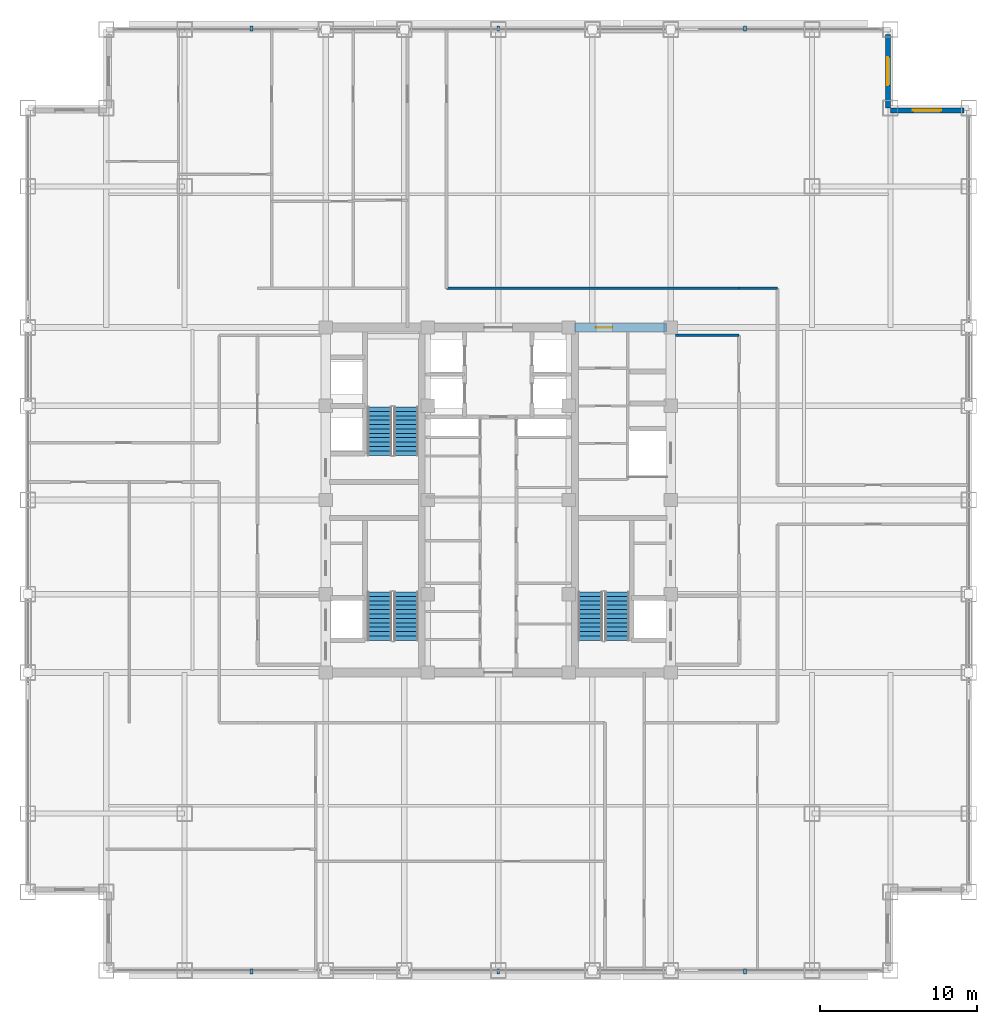
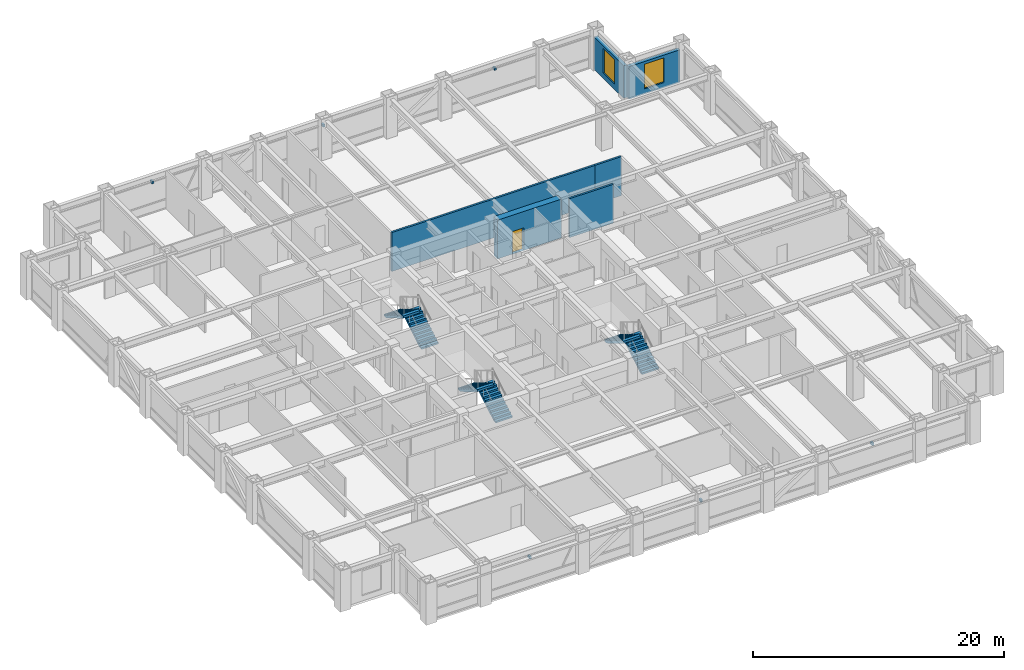
# One storey, part 24 of 29: 6 discrete accessories, 6 stair flights, 6 walls, 2 windows, 1 door, 3 openings, 3 elements without a shape of their own.
"""IFC4 building model written with IfcOpenShell, lengths in metres."""

from ifc_helpers import new_model, si_unit, direction, frame, frame_2d, origin, origin_2d, place, context, subcontext, project, spatial, polyline, rectangle, outline, extrude, source, transform, mapped, material, layer, layer_set, type_object, element, fill, aggregate, save


model = new_model("IFC4")

# Units and contexts
model_context = context("Model", 3, precision=1e-05, world=origin(), true_north=direction((0.0, 1.0)))
body_context = subcontext(model_context, "Body", "Model", "MODEL_VIEW")
ifc_project = project(units=[si_unit("LENGTHUNIT", "METRE"), si_unit("AREAUNIT", "SQUARE_METRE"), si_unit("VOLUMEUNIT", "CUBIC_METRE"), si_unit("PLANEANGLEUNIT", "RADIAN"), si_unit("MASSUNIT", "GRAM", prefix="KILO")], contexts=[model_context])

# Site, building, storey
site_placement = place(None, origin())
site = spatial("IfcSite", under=ifc_project, at=site_placement, CompositionType="ELEMENT")
building_placement = place(site_placement, origin())
building = spatial("IfcBuilding", under=site, at=building_placement, Name="Khorayat Bourse Tower", CompositionType="ELEMENT")
storey_placement = place(building_placement, frame((0.0, 0.0, 243.10009765625)))
storey = spatial("IfcBuildingStorey", under=building, at=storey_placement, Name="L57", CompositionType="ELEMENT", Elevation=243.10009765625)

# Wall, opening, door
ifc_material_1 = material(Name="Concrete C60/75", Category="concrete")
ifc_layer_1 = layer(ifc_material_1, 0.60009765625)
ifc_layer_set_1 = layer_set([ifc_layer_1], Name="Concrete C60/75")
wall_type_1 = type_object("IfcWallType", Name="WAL-CORE-600", PredefinedType="SHEAR", material=ifc_layer_set_1)
shared_shape_1 = source(origin(), body_context, "Body", "SweptSolid", [
    extrude(rectangle(XDim=5.89990234375, YDim=0.60009765625, at=frame_2d((2.949951171875, 0.0))), origin(), (0.0, 0.0, 1.0), 3.77978515625),
])
wall_1_placement = place(storey_placement, frame((4.85009765625, 11.0, 0.0), z_axis=(0.0, 0.0, 1.0), x_axis=(1.0, 0.0, 0.0)))
wall_1 = element("IfcWall", 1, at=wall_1_placement, inside=storey, type_object=wall_type_1, Name="L57 Core Shear Wall PIER-EN", PredefinedType="SHEAR", context=body_context, shape_type="MappedRepresentation", body=[
    mapped(shared_shape_1, transform((0.0, 0.0, 0.0), scale=1.0)),
])
shared_shape_2 = source(origin(), body_context, "Body", "SweptSolid", [
    extrude(rectangle(XDim=1.050048828125, YDim=2.199951171875, at=frame_2d((0.52490234375, 1.10009765625))), frame((0.0, 0.31005859375, 0.0), z_axis=(0.0, -1.0, 0.0), x_axis=(1.0, 0.0, 0.0)), (0.0, 0.0, 1.0), 0.6201171875),
])
opening_1_placement = place(wall_1_placement, frame((1.375, 0.0, 0.0)))
opening_1 = element("IfcOpeningElement", 2, at=opening_1_placement, cuts=wall_1, Name="Opening DI-04", PredefinedType="OPENING", context=body_context, shape_type="MappedRepresentation", body=[
    mapped(shared_shape_2, transform((0.0, 0.0, 0.0), scale=1.0)),
])
ifc_material_2 = material(Name="Fire-rated oak veneer suite entrance door")
door_type = type_object("IfcDoorType", Name="DR-INT-SUITE-1050", OperationType="NOTDEFINED", PredefinedType="DOOR", material=ifc_material_2)
shared_shape_3 = source(origin(), body_context, "Body", "SweptSolid", [
    extrude(rectangle(XDim=1.050048828125, YDim=2.199951171875, at=frame_2d((0.52490234375, 1.10009765625))), frame((0.0, 0.02490234375, 0.0), z_axis=(0.0, -1.0, 0.0), x_axis=(1.0, 0.0, 0.0)), (0.0, 0.0, 1.0), 0.050048828125),
])
door_placement = place(opening_1_placement, origin())
door = element("IfcDoor", 3, at=door_placement, inside=storey, type_object=door_type, Name="L57 Core Washroom Lobby Door", OperationType="SINGLE_SWING_LEFT", OverallHeight=2.199951171875, OverallWidth=1.050048828125, PredefinedType="DOOR", context=body_context, shape_type="MappedRepresentation", body=[
    mapped(shared_shape_3, transform((0.0, 0.0, 0.0), scale=1.0)),
])
fill(opening_1, door)

# Wall, opening, window
ifc_material_3 = material(Name="Precast concrete C45/55", Category="concrete")
ifc_layer_2 = layer(ifc_material_3, 0.320068359375)
ifc_layer_set_2 = layer_set([ifc_layer_2], Name="Precast concrete C45/55")
wall_type_2 = type_object("IfcWallType", Name="WAL-EXT-STONE-320", PredefinedType="STANDARD", material=ifc_layer_set_2)
shared_shape_4 = source(origin(), body_context, "Body", "SweptSolid", [
    extrude(rectangle(XDim=4.679931640625, YDim=0.320068359375, at=frame_2d((2.33984375, 0.0))), origin(), (0.0, 0.0, 1.0), 3.163818359375),
])
wall_2_placement = place(storey_placement, frame((25.0, 24.840087890625, 0.0), z_axis=(0.0, 0.0, 1.0), x_axis=(1.0, 0.0, 0.0)))
wall_2 = element("IfcWall", 4, at=wall_2_placement, inside=storey, type_object=wall_type_2, Name="L57 Re-Entrant Notch Limestone Wall NE-H", PredefinedType="STANDARD", context=body_context, shape_type="MappedRepresentation", body=[
    mapped(shared_shape_4, transform((0.0, 0.0, 0.0), scale=1.0)),
])
shared_shape_5 = source(origin(), body_context, "Body", "SweptSolid", [
    extrude(rectangle(XDim=1.800048828125, YDim=2.39990234375, at=frame_2d((0.89990234375, 1.199951171875))), frame((0.0, 0.169921875, 0.0), z_axis=(0.0, -1.0, 0.0), x_axis=(1.0, 0.0, 0.0)), (0.0, 0.0, 1.0), 0.340087890625),
])
opening_2_placement = place(wall_2_placement, frame((1.43994140625, 0.0, 0.5)))
opening_2 = element("IfcOpeningElement", 5, at=opening_2_placement, cuts=wall_2, Name="Opening WN-04", PredefinedType="OPENING", context=body_context, shape_type="MappedRepresentation", body=[
    mapped(shared_shape_5, transform((0.0, 0.0, 0.0), scale=1.0)),
])
ifc_material_4 = material(Name="Low-E acoustic laminated double glazing", Category="glass")
window_type = type_object("IfcWindowType", Name="WIN-NOTCH-1800x2400", PartitioningType="SINGLE_PANEL", PredefinedType="WINDOW", material=ifc_material_4)
shared_shape_6 = source(origin(), body_context, "Body", "SweptSolid", [
    extrude(rectangle(XDim=1.800048828125, YDim=2.39990234375, at=frame_2d((0.89990234375, 1.199951171875))), frame((0.0, 0.030029296875, 0.0), z_axis=(0.0, -1.0, 0.0), x_axis=(1.0, 0.0, 0.0)), (0.0, 0.0, 1.0), 0.06005859375),
])
window_1_placement = place(opening_2_placement, origin())
window_1 = element("IfcWindow", 6, at=window_1_placement, inside=storey, type_object=window_type, Name="L57 Facade Window 1", OverallHeight=2.39990234375, OverallWidth=1.800048828125, PartitioningType="SINGLE_PANEL", PredefinedType="WINDOW", context=body_context, shape_type="MappedRepresentation", body=[
    mapped(shared_shape_6, transform((0.0, 0.0, 0.0), scale=1.0)),
])
fill(opening_2, window_1)

wall_3_placement = place(storey_placement, frame((24.840087890625, 25.0, 0.0), z_axis=(0.0, 0.0, 1.0), x_axis=(0.0, 1.0, 0.0)))
wall_3 = element("IfcWall", 7, at=wall_3_placement, inside=storey, type_object=wall_type_2, Name="L57 Re-Entrant Notch Limestone Wall NE-V", PredefinedType="STANDARD", context=body_context, shape_type="MappedRepresentation", body=[
    mapped(shared_shape_4, transform((0.0, 0.0, 0.0), scale=1.0)),
])
opening_3_placement = place(wall_3_placement, frame((1.43994140625, 0.0, 0.5)))
opening_3 = element("IfcOpeningElement", 8, at=opening_3_placement, cuts=wall_3, Name="Opening WN-04", PredefinedType="OPENING", context=body_context, shape_type="MappedRepresentation", body=[
    mapped(shared_shape_5, transform((0.0, 0.0, 0.0), scale=1.0)),
])
window_2_placement = place(opening_3_placement, origin())
window_2 = element("IfcWindow", 9, at=window_2_placement, inside=storey, type_object=window_type, Name="L57 Facade Window 1", OverallHeight=2.39990234375, OverallWidth=1.800048828125, PartitioningType="SINGLE_PANEL", PredefinedType="WINDOW", context=body_context, shape_type="MappedRepresentation", body=[
    mapped(shared_shape_6, transform((0.0, 0.0, 0.0), scale=1.0)),
])
fill(opening_3, window_2)

# Walls
ifc_material_5 = material(Name="Gypsum plasterboard acoustic stud wall")
ifc_layer_3 = layer(ifc_material_5, 0.179931640625)
ifc_layer_set_3 = layer_set([ifc_layer_3], Name="Gypsum plasterboard acoustic stud wall")
wall_type_3 = type_object("IfcWallType", Name="WAL-PART-CORR-180", PredefinedType="PARTITIONING", material=ifc_layer_set_3)
shared_shape_7 = source(origin(), body_context, "Body", "SweptSolid", [
    extrude(rectangle(XDim=4.050048828125, YDim=0.179931640625, at=frame_2d((2.02490234375, 0.0))), origin(), (0.0, 0.0, 1.0), 3.77978515625),
])
wall_4_placement = place(storey_placement, frame((11.300048828125, 10.5, 0.0), z_axis=(0.0, 0.0, 1.0), x_axis=(1.0, 0.0, 0.0)))
element("IfcWall", 10, at=wall_4_placement, inside=storey, type_object=wall_type_3, Name="L57 Partition WAL-L57-ELOB-N", PredefinedType="PARTITIONING", context=body_context, shape_type="MappedRepresentation", body=[
    mapped(shared_shape_7, transform((0.0, 0.0, 0.0), scale=1.0)),
])
shared_shape_8 = source(origin(), body_context, "Body", "SweptSolid", [
    extrude(rectangle(XDim=2.449951171875, YDim=0.179931640625, at=frame_2d((1.22509765625, 0.0))), origin(), (0.0, 0.0, 1.0), 3.77978515625),
])
wall_5_placement = place(storey_placement, frame((15.35009765625, 13.5, 0.0), z_axis=(0.0, 0.0, 1.0), x_axis=(1.0, 0.0, 0.0)))
element("IfcWall", 11, at=wall_5_placement, inside=storey, type_object=wall_type_3, Name="L57 Partition WAL-L57-C2-EN", PredefinedType="PARTITIONING", context=body_context, shape_type="MappedRepresentation", body=[
    mapped(shared_shape_8, transform((0.0, 0.0, 0.0), scale=1.0)),
])
shared_shape_9 = source(origin(), body_context, "Body", "SweptSolid", [
    extrude(rectangle(XDim=18.650146484375, YDim=0.179931640625, at=frame_2d((9.3251953125, 0.0))), origin(), (0.0, 0.0, 1.0), 3.77978515625),
])
wall_6_placement = place(storey_placement, frame((-3.300048828125, 13.5, 0.0), z_axis=(0.0, 0.0, 1.0), x_axis=(1.0, 0.0, 0.0)))
element("IfcWall", 12, at=wall_6_placement, inside=storey, type_object=wall_type_3, Name="L57 Partition WAL-L57-QNE-HC", PredefinedType="PARTITIONING", context=body_context, shape_type="MappedRepresentation", body=[
    mapped(shared_shape_9, transform((0.0, 0.0, 0.0), scale=1.0)),
])

# Stair, stair flights
ifc_material_6 = material(Name="Concrete C40/50", Category="concrete")
stair_type = type_object("IfcStairType", Name="STR-CORE-1550", PredefinedType="HALF_TURN_STAIR", material=ifc_material_6)
stair_1_placement = place(storey_placement, origin())
stair_1 = element("IfcStair", 13, at=stair_1_placement, inside=storey, type_object=stair_type, Name="L57 Exit Stair ST-1", PredefinedType="HALF_TURN_STAIR")
stair_flight_type = type_object("IfcStairFlightType", Name="FLT-CORE-1550", PredefinedType="STRAIGHT", material=ifc_material_6)
shared_shape_10 = source(origin(), body_context, "Body", "SweptSolid", [
    extrude(outline(polyline([(0.0, 0.0), (0.0, 0.166748046875), (0.280029296875, 0.166748046875), (0.280029296875, 0.333251953125), (0.56005859375, 0.333251953125), (0.56005859375, 0.5), (0.840087890625, 0.5), (0.840087890625, 0.666748046875), (1.1201171875, 0.666748046875), (1.1201171875, 0.833251953125), (1.39990234375, 0.833251953125), (1.39990234375, 1.0), (1.679931640625, 1.0), (1.679931640625, 1.166748046875), (1.9599609375, 1.166748046875), (1.9599609375, 1.333251953125), (2.239990234375, 1.333251953125), (2.239990234375, 1.5), (2.52001953125, 1.5), (2.52001953125, 1.666748046875), (2.800048828125, 1.666748046875), (2.800048828125, 1.833251953125), (3.080078125, 1.833251953125), (3.080078125, 2.0), (3.080078125, 1.6240234375), (0.351806640625, 0.0), (0.0, 0.0)])), frame((0.0, 0.77490234375, 0.0), z_axis=(0.0, -1.0, 0.0), x_axis=(1.0, 0.0, 0.0)), (0.0, 0.0, 1.0), 1.550048828125),
])
stair_flight_1_placement = place(storey_placement, frame((-5.875, -8.949951171875, 0.0), z_axis=(0.0, 0.0, 1.0), x_axis=(0.0, 1.0, 0.0)))
stair_flight_1 = element("IfcStairFlight", 14, at=stair_flight_1_placement, type_object=stair_flight_type, Name="ST-1 flight 1", NumberOfRisers=12, NumberOfTreads=11, PredefinedType="STRAIGHT", RiserHeight=0.166666667, TreadLength=0.28, context=body_context, shape_type="MappedRepresentation", body=[
    mapped(shared_shape_10, transform((0.0, 0.0, 0.0), scale=1.0)),
])
stair_flight_2_placement = place(storey_placement, frame((-7.574951171875, -5.8701171875, 2.0), z_axis=(0.0, 0.0, 1.0), x_axis=(0.0, -1.0, 0.0)))
stair_flight_2 = element("IfcStairFlight", 15, at=stair_flight_2_placement, type_object=stair_flight_type, Name="ST-1 flight 2", NumberOfRisers=12, NumberOfTreads=11, PredefinedType="STRAIGHT", RiserHeight=0.166666667, TreadLength=0.28, context=body_context, shape_type="MappedRepresentation", body=[
    mapped(shared_shape_10, transform((0.0, 0.0, 0.0), scale=1.0)),
])
aggregate(stair_1, [stair_flight_1, stair_flight_2])

stair_2_placement = place(storey_placement, origin())
stair_2 = element("IfcStair", 16, at=stair_2_placement, inside=storey, type_object=stair_type, Name="L57 Exit Stair ST-2", PredefinedType="HALF_TURN_STAIR")
stair_flight_3_placement = place(storey_placement, frame((-5.875, 2.85009765625, 0.0), z_axis=(0.0, 0.0, 1.0), x_axis=(0.0, 1.0, 0.0)))
stair_flight_3 = element("IfcStairFlight", 17, at=stair_flight_3_placement, type_object=stair_flight_type, Name="ST-2 flight 1", NumberOfRisers=12, NumberOfTreads=11, PredefinedType="STRAIGHT", RiserHeight=0.166666667, TreadLength=0.28, context=body_context, shape_type="MappedRepresentation", body=[
    mapped(shared_shape_10, transform((0.0, 0.0, 0.0), scale=1.0)),
])
stair_flight_4_placement = place(storey_placement, frame((-7.574951171875, 5.929931640625, 2.0), z_axis=(0.0, 0.0, 1.0), x_axis=(0.0, -1.0, 0.0)))
stair_flight_4 = element("IfcStairFlight", 18, at=stair_flight_4_placement, type_object=stair_flight_type, Name="ST-2 flight 2", NumberOfRisers=12, NumberOfTreads=11, PredefinedType="STRAIGHT", RiserHeight=0.166666667, TreadLength=0.28, context=body_context, shape_type="MappedRepresentation", body=[
    mapped(shared_shape_10, transform((0.0, 0.0, 0.0), scale=1.0)),
])
aggregate(stair_2, [stair_flight_3, stair_flight_4])

stair_3_placement = place(storey_placement, origin())
stair_3 = element("IfcStair", 19, at=stair_3_placement, inside=storey, type_object=stair_type, Name="L57 Exit Stair ST-3", PredefinedType="HALF_TURN_STAIR")
stair_flight_5_placement = place(storey_placement, frame((7.574951171875, -8.949951171875, 0.0), z_axis=(0.0, 0.0, 1.0), x_axis=(0.0, 1.0, 0.0)))
stair_flight_5 = element("IfcStairFlight", 20, at=stair_flight_5_placement, type_object=stair_flight_type, Name="ST-3 flight 1", NumberOfRisers=12, NumberOfTreads=11, PredefinedType="STRAIGHT", RiserHeight=0.166666667, TreadLength=0.28, context=body_context, shape_type="MappedRepresentation", body=[
    mapped(shared_shape_10, transform((0.0, 0.0, 0.0), scale=1.0)),
])
stair_flight_6_placement = place(storey_placement, frame((5.875, -5.8701171875, 2.0), z_axis=(0.0, 0.0, 1.0), x_axis=(0.0, -1.0, 0.0)))
stair_flight_6 = element("IfcStairFlight", 21, at=stair_flight_6_placement, type_object=stair_flight_type, Name="ST-3 flight 2", NumberOfRisers=12, NumberOfTreads=11, PredefinedType="STRAIGHT", RiserHeight=0.166666667, TreadLength=0.28, context=body_context, shape_type="MappedRepresentation", body=[
    mapped(shared_shape_10, transform((0.0, 0.0, 0.0), scale=1.0)),
])
aggregate(stair_3, [stair_flight_5, stair_flight_6])

# Discrete accessories
ifc_material_7 = material(Name="Steel EN 10025-2 S355J2", Category="steel")
discrete_accessory_type = type_object("IfcDiscreteAccessoryType", Name="ACC-SHADE-BRACKET", PredefinedType="BRACKET", material=ifc_material_7)
shared_shape_11 = source(origin(), body_context, "Body", "SweptSolid", [
    extrude(rectangle(XDim=0.179931640625, YDim=0.300048828125, at=origin_2d()), origin(), (0.0, 0.0, 1.0), 0.239990234375),
])
for number, where, z_axis, x_axis, name in (
    (22, (-15.7333984375, -30.06005859375, 2.8798828125), (0.0, 0.0, 1.0), (1.0, 0.0, 0.0), "L57 Sunshade Support Bracket S-1"),
    (23, (0.0, -30.06005859375, 2.8798828125), (0.0, 0.0, 1.0), (1.0, 0.0, 0.0), "L57 Sunshade Support Bracket S-2"),
    (24, (15.7333984375, -30.06005859375, 2.8798828125), (0.0, 0.0, 1.0), (1.0, 0.0, 0.0), "L57 Sunshade Support Bracket S-3"),
    (25, (-15.7333984375, 30.06005859375, 2.8798828125), (0.0, 0.0, 1.0), (1.0, 0.0, 0.0), "L57 Sunshade Support Bracket N-1"),
    (26, (0.0, 30.06005859375, 2.8798828125), (0.0, 0.0, 1.0), (1.0, 0.0, 0.0), "L57 Sunshade Support Bracket N-2"),
    (27, (15.7333984375, 30.06005859375, 2.8798828125), (0.0, 0.0, 1.0), (1.0, 0.0, 0.0), "L57 Sunshade Support Bracket N-3"),
):
    element("IfcDiscreteAccessory", number, at=place(storey_placement, frame(where, z_axis=z_axis, x_axis=x_axis)), inside=storey, type_object=discrete_accessory_type, Name=name, PredefinedType="BRACKET", context=body_context, shape_type="MappedRepresentation", body=[
        mapped(shared_shape_11, transform((0.0, 0.0, 0.0), scale=1.0)),
    ])

save(model, "model.ifc")
